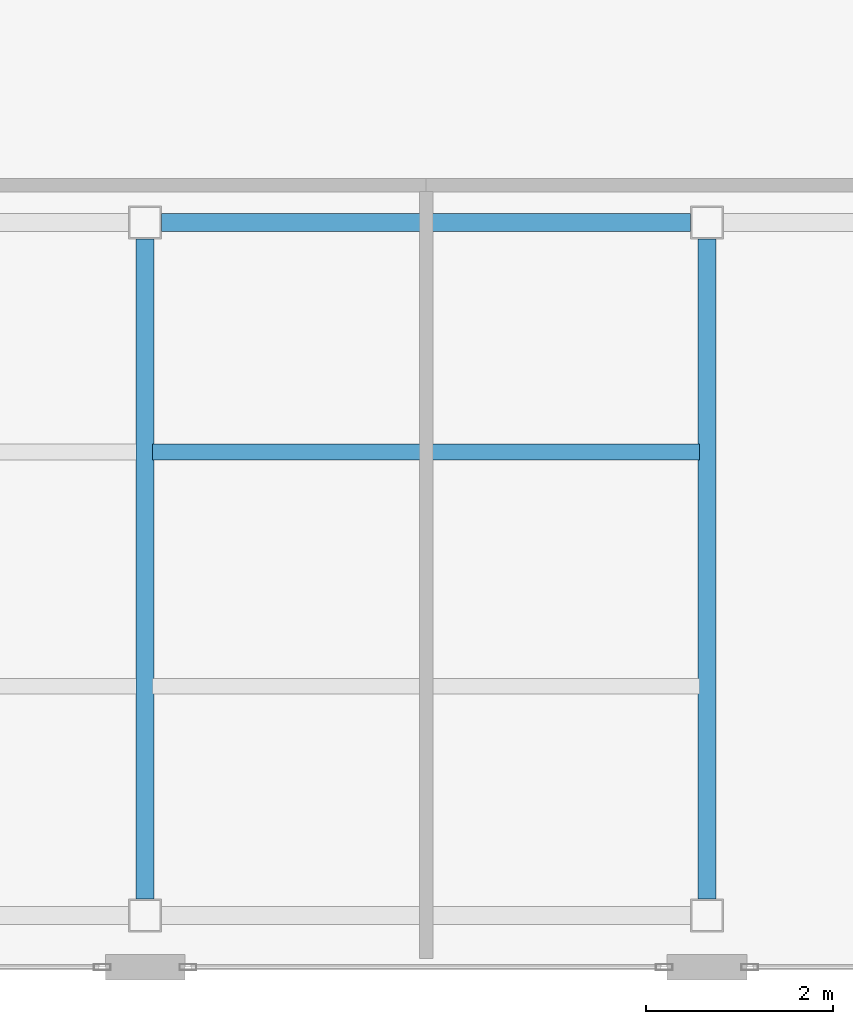
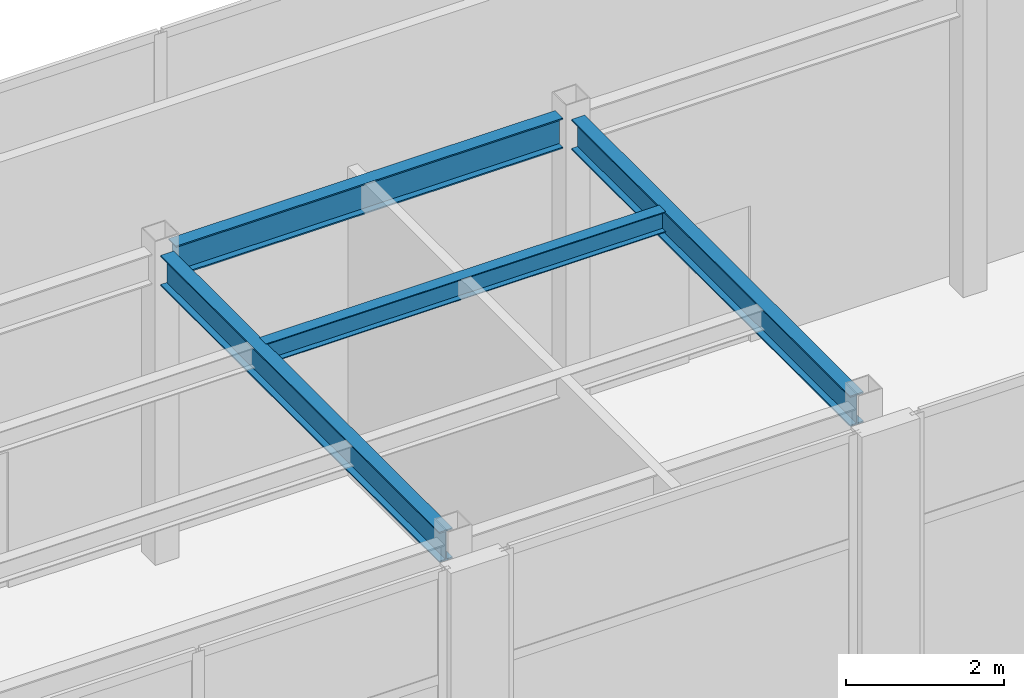
# One storey, part 7 of 12: 4 beams.
"""IFC4 building model written with IfcOpenShell, lengths in metres."""

from ifc_helpers import new_model, si_unit, direction, frame, origin, origin_2d, place, context, subcontext, project, spatial, i_section, extrude, material, material_profile, profile_set, type_object, element, save


model = new_model("IFC4")

# Units and contexts
model_context = context("Model", 3, precision=1e-05, world=origin(), true_north=direction((0.0, 1.0)))
body_context = subcontext(model_context, "Body", "Model", "MODEL_VIEW")
ifc_project = project(units=[si_unit("LENGTHUNIT", "METRE"), si_unit("AREAUNIT", "SQUARE_METRE"), si_unit("VOLUMEUNIT", "CUBIC_METRE"), si_unit("PLANEANGLEUNIT", "RADIAN"), si_unit("MASSUNIT", "GRAM", prefix="KILO")], contexts=[model_context])

# Site, building, storey
site_placement = place(None, origin())
site = spatial("IfcSite", under=ifc_project, at=site_placement, CompositionType="ELEMENT")
building_placement = place(site_placement, origin())
building = spatial("IfcBuilding", under=site, at=building_placement, Name="Mawjaban Terraces University", CompositionType="ELEMENT")
storey_placement = place(building_placement, frame((0.0, 0.0, 321.699951171875)))
storey = spatial("IfcBuildingStorey", under=building, at=storey_placement, Name="L78", CompositionType="ELEMENT", Elevation=321.699951171875)

# Beams
ifc_material = material(Name="Steel ASTM A572 Grade 50", Category="steel")
ifc_material_profile_1 = material_profile(ifc_material, i_section(OverallWidth=0.194091796875, OverallDepth=0.468994140625, WebThickness=0.011474609375, FlangeThickness=0.0205078125, at=origin_2d()), Name="W460X106")
ifc_profile_set_1 = profile_set([ifc_material_profile_1], Name="Steel ASTM A572 Grade 50")
beam_type_1 = type_object("IfcBeamType", Name="Beam_B_W460X106", PredefinedType="BEAM", material=ifc_profile_set_1)
beam_1_placement = place(storey_placement, frame((46.175048828125, 7.949951171875, 4.525146484375), z_axis=(1.0, 0.0, 0.0), x_axis=(0.0, 1.0, 0.0)))
element("IfcBeam", 1, at=beam_1_placement, inside=storey, type_object=beam_type_1, Name="L78 Beam BM-L78-EW-05", PredefinedType="BEAM", context=body_context, shape_type="SweptSolid", body=[
    extrude(i_section(OverallWidth=0.194091796875, OverallDepth=0.468994140625, WebThickness=0.011474609375, FlangeThickness=0.0205078125, at=origin_2d()), origin(), (0.0, 0.0, 1.0), 5.64990234375),
])
for number, where, z_axis, x_axis, name in (
    (2, (46.0, 0.72509765625, 4.525146484375), (0.0, 1.0, 0.0), (-1.0, 0.0, 0.0), "L78 Beam BM-L78-NS-02"),
    (3, (52.0, 0.72509765625, 4.525146484375), (0.0, 1.0, 0.0), (-1.0, 0.0, 0.0), "L78 Beam BM-L78-NS-03"),
):
    element("IfcBeam", number, at=place(storey_placement, frame(where, z_axis=z_axis, x_axis=x_axis)), inside=storey, type_object=beam_type_1, Name=name, PredefinedType="BEAM", context=body_context, shape_type="SweptSolid", body=[
        extrude(i_section(OverallWidth=0.194091796875, OverallDepth=0.468994140625, WebThickness=0.011474609375, FlangeThickness=0.0205078125, at=origin_2d()), origin(), (0.0, 0.0, 1.0), 7.0498046875),
    ])
ifc_material_profile_2 = material_profile(ifc_material, i_section(OverallWidth=0.1669921875, OverallDepth=0.318115234375, WebThickness=0.007568359375, FlangeThickness=0.01318359375, at=origin_2d()), Name="W310X52")
ifc_profile_set_2 = profile_set([ifc_material_profile_2], Name="Steel ASTM A572 Grade 50")
beam_type_2 = type_object("IfcBeamType", Name="Beam_J_W310X52", PredefinedType="JOIST", material=ifc_profile_set_2)
beam_2_placement = place(storey_placement, frame((46.080078125, 5.5, 4.60107421875), z_axis=(1.0, 0.0, 0.0), x_axis=(0.0, 1.0, 0.0)))
element("IfcBeam", 4, at=beam_2_placement, inside=storey, type_object=beam_type_2, Name="L78 Composite Joist JST-L78-04", PredefinedType="JOIST", context=body_context, shape_type="SweptSolid", body=[
    extrude(i_section(OverallWidth=0.1669921875, OverallDepth=0.318115234375, WebThickness=0.007568359375, FlangeThickness=0.01318359375, at=origin_2d()), origin(), (0.0, 0.0, 1.0), 5.83984375),
])

save(model, "model.ifc")
